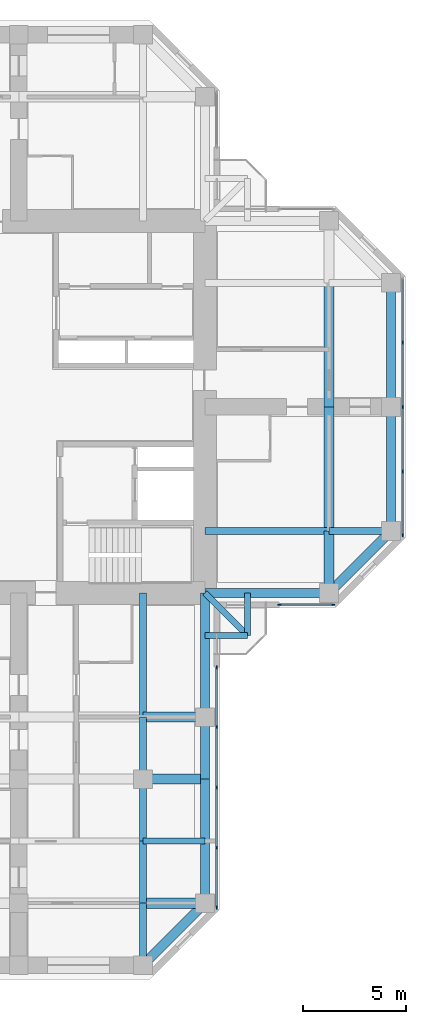
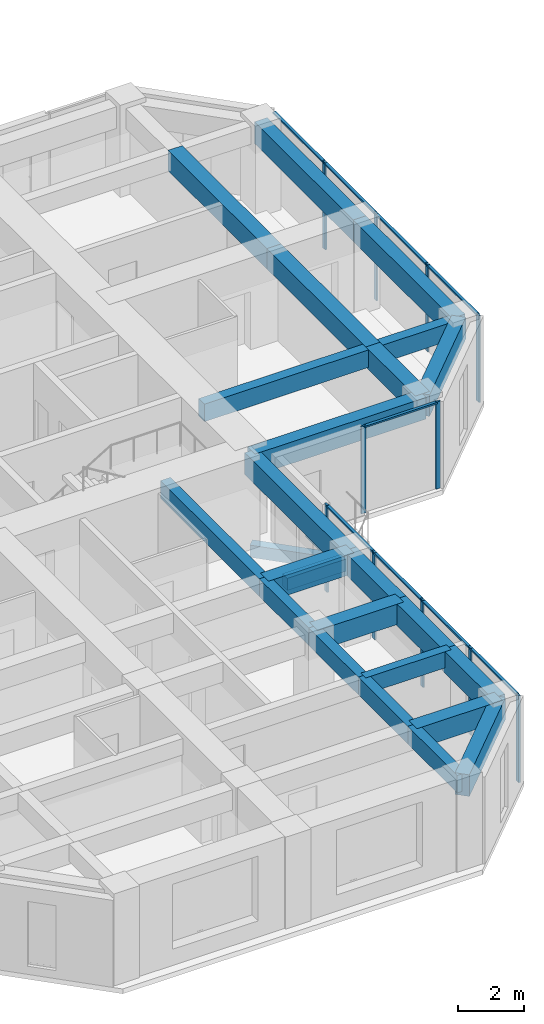
# One storey, part 4 of 13: 26 beams, 20 members, 3 elements without a shape of their own.
"""IFC4 building model written with IfcOpenShell, lengths in metres."""

from ifc_helpers import new_model, si_unit, direction, frame, origin, origin_2d, place, context, subcontext, project, spatial, rectangle, extrude, material, material_profile, profile_set, type_object, element, aggregate, save


model = new_model("IFC4")

# Units and contexts
model_context = context("Model", 3, precision=1e-05, world=origin(), true_north=direction((0.0, 1.0)))
body_context = subcontext(model_context, "Body", "Model", "MODEL_VIEW")
ifc_project = project(units=[si_unit("LENGTHUNIT", "METRE"), si_unit("AREAUNIT", "SQUARE_METRE"), si_unit("VOLUMEUNIT", "CUBIC_METRE"), si_unit("PLANEANGLEUNIT", "RADIAN"), si_unit("MASSUNIT", "GRAM", prefix="KILO")], contexts=[model_context])

# Site, building, storey
site_placement = place(None, origin())
site = spatial("IfcSite", under=ifc_project, at=site_placement, CompositionType="ELEMENT")
building_placement = place(site_placement, origin())
building = spatial("IfcBuilding", under=site, at=building_placement, Name="Torre Cruceta", CompositionType="ELEMENT")
storey_placement = place(building_placement, frame((0.0, 0.0, 189.89990234375)))
storey = spatial("IfcBuildingStorey", under=building, at=storey_placement, Name="L47", CompositionType="ELEMENT", Elevation=189.89990234375)

# Beams
ifc_material_1 = material(Name="Concrete G60 (fck 60 MPa)", Category="concrete")
ifc_material_profile_1 = material_profile(ifc_material_1, rectangle(XDim=0.300048828125, YDim=0.449951171875, at=origin_2d()), Name="RC 300X450")
ifc_profile_set_1 = profile_set([ifc_material_profile_1], Name="Concrete G60 (fck 60 MPa)")
beam_type_1 = type_object("IfcBeamType", Name="BALCONY CANTILEVER BEAM RC 300X450", PredefinedType="BEAM", material=ifc_profile_set_1)
beam_1_placement = place(storey_placement, frame((9.0, -9.0, -0.40478515625), z_axis=(0.707106781187, -0.707106781187, 0.0), x_axis=(0.707106781187, 0.707106781187, 0.0)))
element("IfcBeam", 1, at=beam_1_placement, inside=storey, type_object=beam_type_1, Name="BB1 balcony beam L47 S", PredefinedType="BEAM", context=body_context, shape_type="SweptSolid", body=[
    extrude(rectangle(XDim=0.300048828125, YDim=0.449951171875, at=origin_2d()), origin(), (0.0, 0.0, 1.0), 2.89990234375),
])
for number, where, z_axis, x_axis, name in (
    (2, (11.050537109375, -9.0, -0.40478515625), (0.0, -1.0, 0.0), (1.0, 0.0, 0.0), "BB1 balcony edge beam L47 S-X"),
    (3, (9.0, -11.050537109375, -0.40478515625), (1.0, 0.0, 0.0), (0.0, 1.0, 0.0), "BB1 balcony edge beam L47 S-Y"),
):
    element("IfcBeam", number, at=place(storey_placement, frame(where, z_axis=z_axis, x_axis=x_axis)), inside=storey, type_object=beam_type_1, Name=name, PredefinedType="BEAM", context=body_context, shape_type="SweptSolid", body=[
        extrude(rectangle(XDim=0.300048828125, YDim=0.449951171875, at=origin_2d()), origin(), (0.0, 0.0, 1.0), 2.050537109375),
    ])
ifc_material_2 = material(Name="Concrete G60 (fck 60 MPa)", Category="concrete")
ifc_material_profile_2 = material_profile(ifc_material_2, rectangle(XDim=0.35009765625, YDim=0.64990234375, at=origin_2d()), Name="RC 350X650")
ifc_profile_set_2 = profile_set([ifc_material_profile_2], Name="Concrete G60 (fck 60 MPa)")
beam_type_2 = type_object("IfcBeamType", Name="COLUMN LINE BEAM RC 350X650", PredefinedType="BEAM", material=ifc_profile_set_2)
beam_2_placement = place(storey_placement, frame((9.0, -6.0, 2.89501953125), z_axis=(1.0, 0.0, 0.0), x_axis=(0.0, 1.0, 0.0)))
element("IfcBeam", 4, at=beam_2_placement, inside=storey, type_object=beam_type_2, Name="LB7 L47 E col- 1", PredefinedType="BEAM", context=body_context, shape_type="SweptSolid", body=[
    extrude(rectangle(XDim=0.35009765625, YDim=0.64990234375, at=origin_2d()), origin(), (0.0, 0.0, 1.0), 6.0),
])
beam_3_placement = place(storey_placement, frame((15.0, -6.0, 2.89501953125), z_axis=(1.0, 0.0, 0.0), x_axis=(0.0, 1.0, 0.0)))
element("IfcBeam", 5, at=beam_3_placement, inside=storey, type_object=beam_type_2, Name="LB7 L47 E col- 2", PredefinedType="BEAM", context=body_context, shape_type="SweptSolid", body=[
    extrude(rectangle(XDim=0.35009765625, YDim=0.64990234375, at=origin_2d()), origin(), (0.0, 0.0, 1.0), 3.0),
])
beam_4_placement = place(storey_placement, frame((6.0, -9.0, 2.89501953125), z_axis=(0.0, -1.0, 0.0), x_axis=(1.0, 0.0, 0.0)))
element("IfcBeam", 6, at=beam_4_placement, inside=storey, type_object=beam_type_2, Name="LB7 L47 S col+ 1", PredefinedType="BEAM", context=body_context, shape_type="SweptSolid", body=[
    extrude(rectangle(XDim=0.35009765625, YDim=0.64990234375, at=origin_2d()), origin(), (0.0, 0.0, 1.0), 6.0),
])
for number, where, z_axis, x_axis, name in (
    (7, (6.0, -15.0, 2.89501953125), (0.0, -1.0, 0.0), (1.0, 0.0, 0.0), "LB7 L47 S col+ 2"),
    (8, (6.0, -18.0, 2.89501953125), (0.0, -1.0, 0.0), (1.0, 0.0, 0.0), "LB7 L47 S col+ 3"),
    (9, (6.0, -21.0, 2.89501953125), (0.0, -1.0, 0.0), (1.0, 0.0, 0.0), "LB7 L47 S col+ 4"),
    (10, (6.0, -24.0, 2.89501953125), (0.0, -1.0, 0.0), (1.0, 0.0, 0.0), "LB7 L47 S col+ 5"),
):
    element("IfcBeam", number, at=place(storey_placement, frame(where, z_axis=z_axis, x_axis=x_axis)), inside=storey, type_object=beam_type_2, Name=name, PredefinedType="BEAM", context=body_context, shape_type="SweptSolid", body=[
        extrude(rectangle(XDim=0.35009765625, YDim=0.64990234375, at=origin_2d()), origin(), (0.0, 0.0, 1.0), 3.0),
    ])
ifc_material_3 = material(Name="Concrete G60 (fck 60 MPa)", Category="concrete")
ifc_material_profile_3 = material_profile(ifc_material_3, rectangle(XDim=0.5, YDim=0.75, at=origin_2d()), Name="RC 500X750")
ifc_profile_set_3 = profile_set([ifc_material_profile_3], Name="Concrete G60 (fck 60 MPa)")
beam_type_3 = type_object("IfcBeamType", Name="CROSS BEAM RC 500X750", PredefinedType="BEAM", material=ifc_profile_set_3)
beam_5_placement = place(storey_placement, frame((15.0, -9.0, 2.84521484375), z_axis=(0.0, 1.0, 0.0), x_axis=(-1.0, 0.0, 0.0)))
element("IfcBeam", 11, at=beam_5_placement, inside=storey, type_object=beam_type_3, Name="GB6 L47 E cross15 1", PredefinedType="BEAM", context=body_context, shape_type="SweptSolid", body=[
    extrude(rectangle(XDim=0.5, YDim=0.75, at=origin_2d()), origin(), (0.0, 0.0, 1.0), 3.0),
])
for number, where, z_axis, x_axis, name in (
    (12, (15.0, -6.0, 2.84521484375), (0.0, 1.0, 0.0), (-1.0, 0.0, 0.0), "GB6 L47 E cross15 2"),
    (13, (15.0, 0.0, 2.84521484375), (0.0, 1.0, 0.0), (-1.0, 0.0, 0.0), "GB6 L47 E cross15 3"),
):
    element("IfcBeam", number, at=place(storey_placement, frame(where, z_axis=z_axis, x_axis=x_axis)), inside=storey, type_object=beam_type_3, Name=name, PredefinedType="BEAM", context=body_context, shape_type="SweptSolid", body=[
        extrude(rectangle(XDim=0.5, YDim=0.75, at=origin_2d()), origin(), (0.0, 0.0, 1.0), 6.0),
    ])
for number, where, z_axis, x_axis, name in (
    (14, (6.0, -15.0, 2.84521484375), (1.0, 0.0, 0.0), (0.0, 1.0, 0.0), "GB6 L47 S cross15 4"),
    (15, (6.0, -18.0, 2.84521484375), (1.0, 0.0, 0.0), (0.0, 1.0, 0.0), "GB6 L47 S cross18 4"),
    (16, (6.0, -24.0, 2.84521484375), (1.0, 0.0, 0.0), (0.0, 1.0, 0.0), "GB6 L47 S cross24 4"),
):
    element("IfcBeam", number, at=place(storey_placement, frame(where, z_axis=z_axis, x_axis=x_axis)), inside=storey, type_object=beam_type_3, Name=name, PredefinedType="BEAM", context=body_context, shape_type="SweptSolid", body=[
        extrude(rectangle(XDim=0.5, YDim=0.75, at=origin_2d()), origin(), (0.0, 0.0, 1.0), 3.0),
    ])

# Curtain wall, members
ifc_material_4 = material(Name="Aluminium unitised curtain wall", Category="aluminium")
curtain_wall_type = type_object("IfcCurtainWallType", Name="CURTAIN WALL CW-C CO-LIVING", PredefinedType="USERDEFINED", material=ifc_material_4)
curtain_wall_1_placement = place(storey_placement, origin())
curtain_wall_1 = element("IfcCurtainWall", 17, at=curtain_wall_1_placement, inside=storey, type_object=curtain_wall_type, Name="CW-C L47 E side 00", ObjectType="UNITISED", PredefinedType="USERDEFINED")
ifc_material_5 = material(Name="Aluminium mullion", Category="aluminium")
ifc_material_profile_4 = material_profile(ifc_material_5, rectangle(XDim=0.06005859375, YDim=0.159912109375, at=origin_2d()), Name="AL 60X160")
ifc_profile_set_4 = profile_set([ifc_material_profile_4], Name="Aluminium mullion")
member_type_1 = type_object("IfcMemberType", Name="CW-C MULLION 60X160", PredefinedType="MULLION", material=ifc_profile_set_4)
member_1_placement = place(storey_placement, frame((12.60009765625, -9.570068359375, 0.0), z_axis=(0.0, 0.0, 1.0), x_axis=(0.0, 1.0, 0.0)))
member_1 = element("IfcMember", 18, at=member_1_placement, type_object=member_type_1, Name="CW-C mullion 1", PredefinedType="MULLION", context=body_context, shape_type="SweptSolid", body=[
    extrude(rectangle(XDim=0.06005859375, YDim=0.159912109375, at=origin_2d()), origin(), (0.0, 0.0, 1.0), 3.22021484375),
])
member_2_placement = place(storey_placement, frame((15.2060546875, -9.570068359375, 0.0), z_axis=(0.0, 0.0, 1.0), x_axis=(0.0, 1.0, 0.0)))
member_2 = element("IfcMember", 19, at=member_2_placement, type_object=member_type_1, Name="CW-C mullion 2", PredefinedType="MULLION", context=body_context, shape_type="SweptSolid", body=[
    extrude(rectangle(XDim=0.06005859375, YDim=0.159912109375, at=origin_2d()), origin(), (0.0, 0.0, 1.0), 3.22021484375),
])

curtain_wall_2_placement = place(storey_placement, origin())
curtain_wall_2 = element("IfcCurtainWall", 20, at=curtain_wall_2_placement, inside=storey, type_object=curtain_wall_type, Name="CW-C L47 E tip 02", ObjectType="UNITISED", PredefinedType="USERDEFINED")
member_3_placement = place(storey_placement, frame((18.570068359375, -6.2060546875, 0.0), z_axis=(0.0, 0.0, 1.0), x_axis=(-1.0, 0.0, 0.0)))
member_3 = element("IfcMember", 21, at=member_3_placement, type_object=member_type_1, Name="CW-C mullion 1", PredefinedType="MULLION", context=body_context, shape_type="SweptSolid", body=[
    extrude(rectangle(XDim=0.06005859375, YDim=0.159912109375, at=origin_2d()), origin(), (0.0, 0.0, 1.0), 3.22021484375),
])
member_4_placement = place(storey_placement, frame((18.570068359375, -3.1181640625, 0.0), z_axis=(0.0, 0.0, 1.0), x_axis=(-1.0, 0.0, 0.0)))
member_4 = element("IfcMember", 22, at=member_4_placement, type_object=member_type_1, Name="CW-C mullion 2", PredefinedType="MULLION", context=body_context, shape_type="SweptSolid", body=[
    extrude(rectangle(XDim=0.06005859375, YDim=0.159912109375, at=origin_2d()), origin(), (0.0, 0.0, 1.0), 3.22021484375),
])
member_5_placement = place(storey_placement, frame((18.570068359375, 0.0, 0.0), z_axis=(0.0, 0.0, 1.0), x_axis=(-1.0, 0.0, 0.0)))
member_5 = element("IfcMember", 23, at=member_5_placement, type_object=member_type_1, Name="CW-C mullion 3", PredefinedType="MULLION", context=body_context, shape_type="SweptSolid", body=[
    extrude(rectangle(XDim=0.06005859375, YDim=0.159912109375, at=origin_2d()), origin(), (0.0, 0.0, 1.0), 3.22021484375),
])
member_6_placement = place(storey_placement, frame((18.570068359375, 3.1181640625, 0.0), z_axis=(0.0, 0.0, 1.0), x_axis=(-1.0, 0.0, 0.0)))
member_6 = element("IfcMember", 24, at=member_6_placement, type_object=member_type_1, Name="CW-C mullion 4", PredefinedType="MULLION", context=body_context, shape_type="SweptSolid", body=[
    extrude(rectangle(XDim=0.06005859375, YDim=0.159912109375, at=origin_2d()), origin(), (0.0, 0.0, 1.0), 3.22021484375),
])

curtain_wall_3_placement = place(storey_placement, origin())
curtain_wall_3 = element("IfcCurtainWall", 25, at=curtain_wall_3_placement, inside=storey, type_object=curtain_wall_type, Name="CW-C L47 S side 19", ObjectType="UNITISED", PredefinedType="USERDEFINED")
member_7_placement = place(storey_placement, frame((9.570068359375, -24.2060546875, 0.0), z_axis=(0.0, 0.0, 1.0), x_axis=(-1.0, 0.0, 0.0)))
member_7 = element("IfcMember", 26, at=member_7_placement, type_object=member_type_1, Name="CW-C mullion 1", PredefinedType="MULLION", context=body_context, shape_type="SweptSolid", body=[
    extrude(rectangle(XDim=0.06005859375, YDim=0.159912109375, at=origin_2d()), origin(), (0.0, 0.0, 1.0), 3.22021484375),
])
member_8_placement = place(storey_placement, frame((9.570068359375, -21.319580078125, 0.0), z_axis=(0.0, 0.0, 1.0), x_axis=(-1.0, 0.0, 0.0)))
member_8 = element("IfcMember", 27, at=member_8_placement, type_object=member_type_1, Name="CW-C mullion 2", PredefinedType="MULLION", context=body_context, shape_type="SweptSolid", body=[
    extrude(rectangle(XDim=0.06005859375, YDim=0.159912109375, at=origin_2d()), origin(), (0.0, 0.0, 1.0), 3.22021484375),
])
member_9_placement = place(storey_placement, frame((9.570068359375, -18.403076171875, 0.0), z_axis=(0.0, 0.0, 1.0), x_axis=(-1.0, 0.0, 0.0)))
member_9 = element("IfcMember", 28, at=member_9_placement, type_object=member_type_1, Name="CW-C mullion 3", PredefinedType="MULLION", context=body_context, shape_type="SweptSolid", body=[
    extrude(rectangle(XDim=0.06005859375, YDim=0.159912109375, at=origin_2d()), origin(), (0.0, 0.0, 1.0), 3.22021484375),
])
member_10_placement = place(storey_placement, frame((9.570068359375, -15.486572265625, 0.0), z_axis=(0.0, 0.0, 1.0), x_axis=(-1.0, 0.0, 0.0)))
member_10 = element("IfcMember", 29, at=member_10_placement, type_object=member_type_1, Name="CW-C mullion 4", PredefinedType="MULLION", context=body_context, shape_type="SweptSolid", body=[
    extrude(rectangle(XDim=0.06005859375, YDim=0.159912109375, at=origin_2d()), origin(), (0.0, 0.0, 1.0), 3.22021484375),
])
member_11_placement = place(storey_placement, frame((9.570068359375, -12.60009765625, 0.0), z_axis=(0.0, 0.0, 1.0), x_axis=(-1.0, 0.0, 0.0)))
member_11 = element("IfcMember", 30, at=member_11_placement, type_object=member_type_1, Name="CW-C mullion 5", PredefinedType="MULLION", context=body_context, shape_type="SweptSolid", body=[
    extrude(rectangle(XDim=0.06005859375, YDim=0.159912109375, at=origin_2d()), origin(), (0.0, 0.0, 1.0), 3.22021484375),
])

# Member
ifc_material_6 = material(Name="Aluminium transom", Category="aluminium")
ifc_material_profile_5 = material_profile(ifc_material_6, rectangle(XDim=0.10009765625, YDim=0.06005859375, at=origin_2d()), Name="AL 100X60")
ifc_profile_set_5 = profile_set([ifc_material_profile_5], Name="Aluminium transom")
member_type_2 = type_object("IfcMemberType", Name="CW-C TRANSOM 60X100", PredefinedType="USERDEFINED", material=ifc_profile_set_5)
member_12_placement = place(storey_placement, frame((12.6298828125, -9.570068359375, 3.190185546875), z_axis=(1.0, 0.0, 0.0), x_axis=(0.0, 1.0, 0.0)))
member_12 = element("IfcMember", 31, at=member_12_placement, type_object=member_type_2, Name="CW-C transom 1", ObjectType="TRANSOM", PredefinedType="USERDEFINED", context=body_context, shape_type="SweptSolid", body=[
    extrude(rectangle(XDim=0.10009765625, YDim=0.06005859375, at=origin_2d()), origin(), (0.0, 0.0, 1.0), 2.546142578125),
])

aggregate(curtain_wall_1, [member_1, member_2, member_12])

member_13_placement = place(storey_placement, frame((18.570068359375, -6.176025390625, 3.190185546875), z_axis=(0.0, 1.0, 0.0), x_axis=(-1.0, 0.0, 0.0)))
member_13 = element("IfcMember", 32, at=member_13_placement, type_object=member_type_2, Name="CW-C transom 1", ObjectType="TRANSOM", PredefinedType="USERDEFINED", context=body_context, shape_type="SweptSolid", body=[
    extrude(rectangle(XDim=0.10009765625, YDim=0.06005859375, at=origin_2d()), origin(), (0.0, 0.0, 1.0), 3.028076171875),
])

member_14_placement = place(storey_placement, frame((18.570068359375, -3.088134765625, 3.190185546875), z_axis=(0.0, 1.0, 0.0), x_axis=(-1.0, 0.0, 0.0)))
member_14 = element("IfcMember", 33, at=member_14_placement, type_object=member_type_2, Name="CW-C transom 2", ObjectType="TRANSOM", PredefinedType="USERDEFINED", context=body_context, shape_type="SweptSolid", body=[
    extrude(rectangle(XDim=0.10009765625, YDim=0.06005859375, at=origin_2d()), origin(), (0.0, 0.0, 1.0), 3.05810546875),
])

member_15_placement = place(storey_placement, frame((18.570068359375, 0.030029296875, 3.190185546875), z_axis=(0.0, 1.0, 0.0), x_axis=(-1.0, 0.0, 0.0)))
member_15 = element("IfcMember", 34, at=member_15_placement, type_object=member_type_2, Name="CW-C transom 3", ObjectType="TRANSOM", PredefinedType="USERDEFINED", context=body_context, shape_type="SweptSolid", body=[
    extrude(rectangle(XDim=0.10009765625, YDim=0.06005859375, at=origin_2d()), origin(), (0.0, 0.0, 1.0), 3.05810546875),
])

member_16_placement = place(storey_placement, frame((18.570068359375, 3.14794921875, 3.190185546875), z_axis=(0.0, 1.0, 0.0), x_axis=(-1.0, 0.0, 0.0)))
member_16 = element("IfcMember", 35, at=member_16_placement, type_object=member_type_2, Name="CW-C transom 4", ObjectType="TRANSOM", PredefinedType="USERDEFINED", context=body_context, shape_type="SweptSolid", body=[
    extrude(rectangle(XDim=0.10009765625, YDim=0.06005859375, at=origin_2d()), origin(), (0.0, 0.0, 1.0), 3.028076171875),
])

aggregate(curtain_wall_2, [member_3, member_4, member_5, member_6, member_13, member_14, member_15, member_16])

member_17_placement = place(storey_placement, frame((9.570068359375, -24.176025390625, 3.190185546875), z_axis=(0.0, 1.0, 0.0), x_axis=(-1.0, 0.0, 0.0)))
member_17 = element("IfcMember", 36, at=member_17_placement, type_object=member_type_2, Name="CW-C transom 1", ObjectType="TRANSOM", PredefinedType="USERDEFINED", context=body_context, shape_type="SweptSolid", body=[
    extrude(rectangle(XDim=0.10009765625, YDim=0.06005859375, at=origin_2d()), origin(), (0.0, 0.0, 1.0), 2.826416015625),
])

member_18_placement = place(storey_placement, frame((9.570068359375, -21.28955078125, 3.190185546875), z_axis=(0.0, 1.0, 0.0), x_axis=(-1.0, 0.0, 0.0)))
member_18 = element("IfcMember", 37, at=member_18_placement, type_object=member_type_2, Name="CW-C transom 2", ObjectType="TRANSOM", PredefinedType="USERDEFINED", context=body_context, shape_type="SweptSolid", body=[
    extrude(rectangle(XDim=0.10009765625, YDim=0.06005859375, at=origin_2d()), origin(), (0.0, 0.0, 1.0), 2.8564453125),
])

member_19_placement = place(storey_placement, frame((9.570068359375, -18.373046875, 3.190185546875), z_axis=(0.0, 1.0, 0.0), x_axis=(-1.0, 0.0, 0.0)))
member_19 = element("IfcMember", 38, at=member_19_placement, type_object=member_type_2, Name="CW-C transom 3", ObjectType="TRANSOM", PredefinedType="USERDEFINED", context=body_context, shape_type="SweptSolid", body=[
    extrude(rectangle(XDim=0.10009765625, YDim=0.06005859375, at=origin_2d()), origin(), (0.0, 0.0, 1.0), 2.8564453125),
])

member_20_placement = place(storey_placement, frame((9.570068359375, -15.45654296875, 3.190185546875), z_axis=(0.0, 1.0, 0.0), x_axis=(-1.0, 0.0, 0.0)))
member_20 = element("IfcMember", 39, at=member_20_placement, type_object=member_type_2, Name="CW-C transom 4", ObjectType="TRANSOM", PredefinedType="USERDEFINED", context=body_context, shape_type="SweptSolid", body=[
    extrude(rectangle(XDim=0.10009765625, YDim=0.06005859375, at=origin_2d()), origin(), (0.0, 0.0, 1.0), 2.82666015625),
])

aggregate(curtain_wall_3, [member_7, member_8, member_9, member_10, member_11, member_17, member_18, member_19, member_20])

# Beams
ifc_material_7 = material(Name="Concrete G60 (fck 60 MPa)", Category="concrete")
ifc_material_profile_6 = material_profile(ifc_material_7, rectangle(XDim=0.300048828125, YDim=0.60009765625, at=origin_2d()), Name="RC 300X600")
ifc_profile_set_6 = profile_set([ifc_material_profile_6], Name="Concrete G60 (fck 60 MPa)")
beam_type_4 = type_object("IfcBeamType", Name="SECONDARY BEAM RC 300X600", PredefinedType="JOIST", material=ifc_profile_set_6)
beam_6_placement = place(storey_placement, frame((6.0, -21.0, 2.920166015625), z_axis=(1.0, 0.0, 0.0), x_axis=(0.0, 1.0, 0.0)))
element("IfcBeam", 40, at=beam_6_placement, inside=storey, type_object=beam_type_4, Name="JB6 L47 S sec21 4", PredefinedType="JOIST", context=body_context, shape_type="SweptSolid", body=[
    extrude(rectangle(XDim=0.300048828125, YDim=0.60009765625, at=origin_2d()), origin(), (0.0, 0.0, 1.0), 3.0),
])
ifc_material_8 = material(Name="Concrete G60 (fck 60 MPa)", Category="concrete")
ifc_material_profile_7 = material_profile(ifc_material_8, rectangle(XDim=0.449951171875, YDim=0.800048828125, at=origin_2d()), Name="RC 450X800")
ifc_profile_set_7 = profile_set([ifc_material_profile_7], Name="Concrete G60 (fck 60 MPa)")
beam_type_5 = type_object("IfcBeamType", Name="SPANDREL BEAM RC 450X800", PredefinedType="SPANDREL", material=ifc_profile_set_7)
beam_7_placement = place(storey_placement, frame((9.0, -9.0, 2.820068359375), z_axis=(1.0, 0.0, 0.0), x_axis=(0.0, 1.0, 0.0)))
element("IfcBeam", 41, at=beam_7_placement, inside=storey, type_object=beam_type_5, Name="SB6 L47 E side- 1", PredefinedType="SPANDREL", context=body_context, shape_type="SweptSolid", body=[
    extrude(rectangle(XDim=0.449951171875, YDim=0.800048828125, at=origin_2d()), origin(), (0.0, 0.0, 1.0), 6.0),
])
beam_8_placement = place(storey_placement, frame((15.0, -9.0, 2.820068359375), z_axis=(0.707106781187, 0.707106781187, 0.0), x_axis=(-0.707106781187, 0.707106781187, 0.0)))
element("IfcBeam", 42, at=beam_8_placement, inside=storey, type_object=beam_type_5, Name="SB6 L47 E side- 2", PredefinedType="SPANDREL", context=body_context, shape_type="SweptSolid", body=[
    extrude(rectangle(XDim=0.449951171875, YDim=0.800048828125, at=origin_2d()), origin(), (0.0, 0.0, 1.0), 4.24267578125),
])
for number, where, z_axis, x_axis, name in (
    (43, (18.0, -6.0, 2.820068359375), (0.0, 1.0, 0.0), (-1.0, 0.0, 0.0), "SB6 L47 E tip 1"),
    (44, (18.0, 0.0, 2.820068359375), (0.0, 1.0, 0.0), (-1.0, 0.0, 0.0), "SB6 L47 E tip 2"),
    (45, (9.0, -9.0, 2.820068359375), (0.0, -1.0, 0.0), (1.0, 0.0, 0.0), "SB6 L47 S side+ 1"),
):
    element("IfcBeam", number, at=place(storey_placement, frame(where, z_axis=z_axis, x_axis=x_axis)), inside=storey, type_object=beam_type_5, Name=name, PredefinedType="SPANDREL", context=body_context, shape_type="SweptSolid", body=[
        extrude(rectangle(XDim=0.449951171875, YDim=0.800048828125, at=origin_2d()), origin(), (0.0, 0.0, 1.0), 6.0),
    ])
for number, where, z_axis, x_axis, name in (
    (46, (9.0, -15.0, 2.820068359375), (0.0, -1.0, 0.0), (1.0, 0.0, 0.0), "SB6 L47 S side+ 2"),
    (47, (9.0, -18.0, 2.820068359375), (0.0, -1.0, 0.0), (1.0, 0.0, 0.0), "SB6 L47 S side+ 3"),
    (48, (9.0, -21.0, 2.820068359375), (0.0, -1.0, 0.0), (1.0, 0.0, 0.0), "SB6 L47 S side+ 4"),
):
    element("IfcBeam", number, at=place(storey_placement, frame(where, z_axis=z_axis, x_axis=x_axis)), inside=storey, type_object=beam_type_5, Name=name, PredefinedType="SPANDREL", context=body_context, shape_type="SweptSolid", body=[
        extrude(rectangle(XDim=0.449951171875, YDim=0.800048828125, at=origin_2d()), origin(), (0.0, 0.0, 1.0), 3.0),
    ])
beam_9_placement = place(storey_placement, frame((9.0, -24.0, 2.820068359375), z_axis=(-0.707106781187, -0.707106781187, 0.0), x_axis=(0.707106781187, -0.707106781187, 0.0)))
element("IfcBeam", 49, at=beam_9_placement, inside=storey, type_object=beam_type_5, Name="SB6 L47 S side+ 5", PredefinedType="SPANDREL", context=body_context, shape_type="SweptSolid", body=[
    extrude(rectangle(XDim=0.449951171875, YDim=0.800048828125, at=origin_2d()), origin(), (0.0, 0.0, 1.0), 4.24267578125),
])

save(model, "model.ifc")
